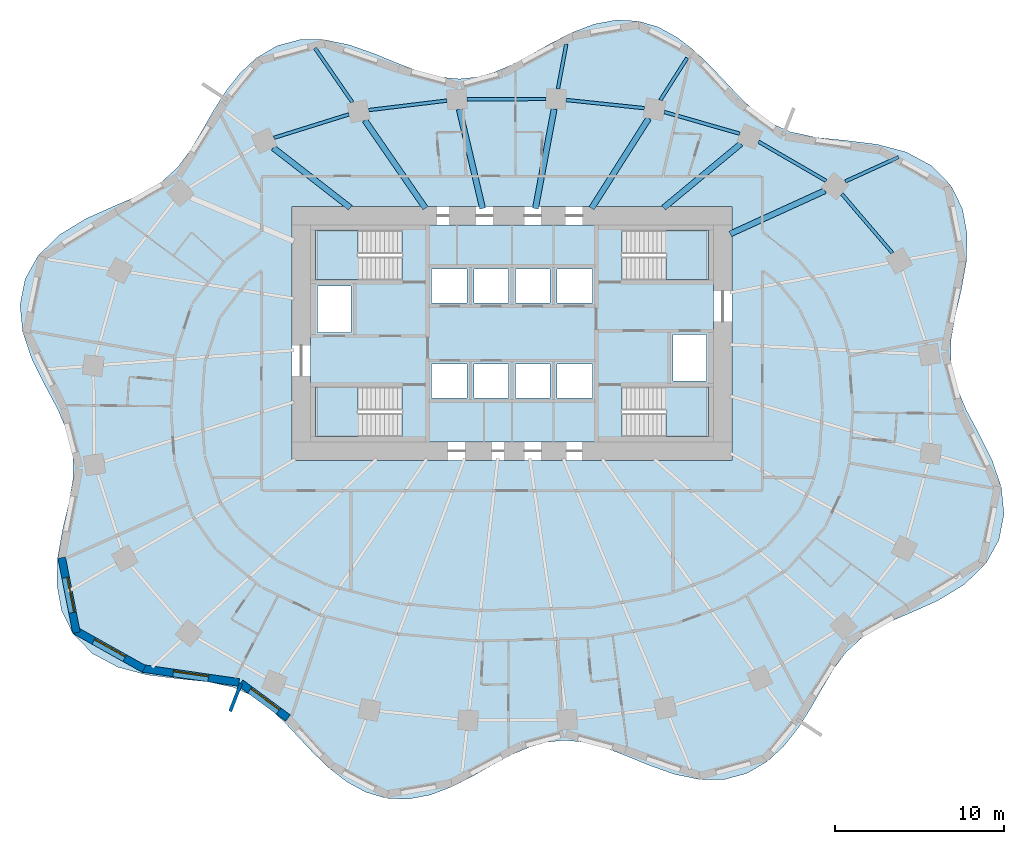
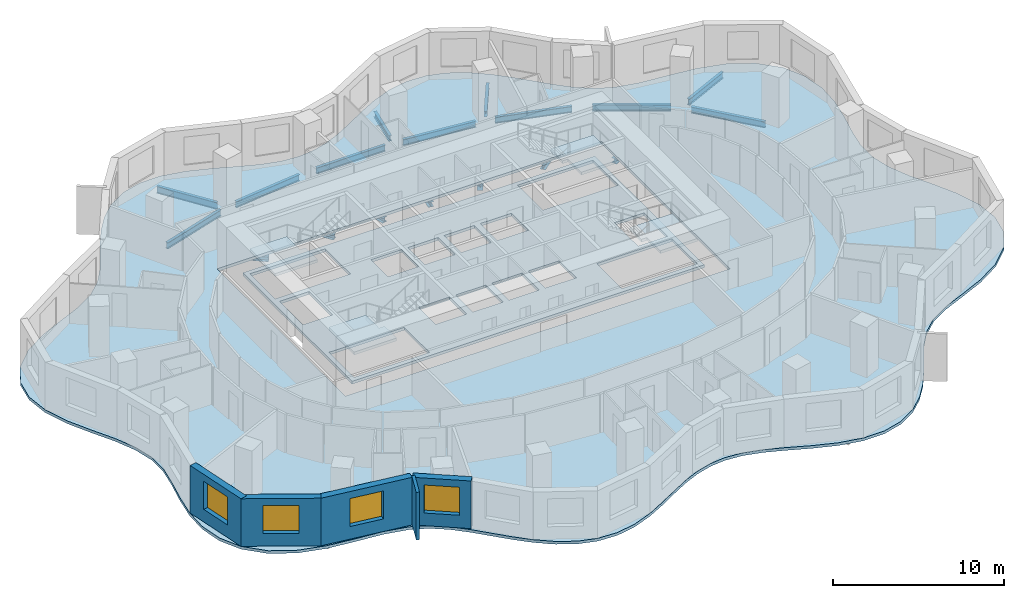
# One storey, part 2 of 10: 18 beams, 6 slabs, 5 walls, 4 windows, 4 openings, 4 elements without a shape of their own.
"""IFC4 building model written with IfcOpenShell, lengths in metres."""

import ifcopenshell
import ifcopenshell.guid

model = None  # the IFC model being written
_history = None  # IfcOwnerHistory: only IFC2X3 demands one
_inside = {}  # id of a spatial element -> (the spatial element, [elements in it])
_under = {}  # id of a project, library or spatial element -> (it, [spatial elements below it])
_declared = {}  # id of a project -> (the project, [libraries it declares])
_typed = {}  # id of a type object -> (the type object, [elements of that type])
_made_of = {}  # id of a material, layer set ... -> (it, [elements and type objects made of it])


def new_model(schema):
    """Start an empty IFC model of exactly this schema.

    Asked for "IFC4X3", IfcOpenShell would pick the latest addendum, in which some entities
    have other attributes; the version numbers below select the first issue.
    IFC2X3 requires an IfcOwnerHistory on every rooted entity: one is made here for all.
    """
    global model, _history
    if schema == "IFC4X3":
        model = ifcopenshell.file(schema_version=(4, 3, 0, 0))
    else:
        model = ifcopenshell.file(schema=schema)
    _inside.clear()
    _under.clear()
    _declared.clear()
    _typed.clear()
    _made_of.clear()
    _history = None
    if model.schema == "IFC2X3":
        org = make("IfcOrganization", Name="unknown")
        user = make(
            "IfcPersonAndOrganization",
            ThePerson=make("IfcPerson", FamilyName="unknown"),
            TheOrganization=org,
        )
        app = make(
            "IfcApplication",
            ApplicationDeveloper=org,
            Version="unknown",
            ApplicationFullName="unknown",
            ApplicationIdentifier="unknown",
        )
        _history = make(
            "IfcOwnerHistory",
            OwningUser=user,
            OwningApplication=app,
            ChangeAction="ADDED",
            CreationDate=0,
        )
    return model


def make(cls, **values):
    """One entity of the class cls with the attributes given. An attribute that is None is left unset."""
    return model.create_entity(
        cls, **{name: value for name, value in values.items() if value is not None}
    )


def rooted(cls, **values):
    """An entity with a GlobalId (a new one), such as an element, a storey or a relation."""
    return make(cls, GlobalId=ifcopenshell.guid.new(), OwnerHistory=_history, **values)


def si_unit(unit_type, name, prefix=None):
    """IfcSIUnit, for example si_unit("LENGTHUNIT", "METRE", prefix="MILLI")."""
    return make("IfcSIUnit", UnitType=unit_type, Prefix=prefix, Name=name)


def assignment(units):
    """IfcUnitAssignment: the units of a project."""
    return None if units is None else make("IfcUnitAssignment", Units=units)


def point(xyz):
    """IfcCartesianPoint."""
    return None if xyz is None else make("IfcCartesianPoint", Coordinates=xyz)


def direction(xyz):
    """IfcDirection."""
    return None if xyz is None else make("IfcDirection", DirectionRatios=xyz)


def frame(location, z_axis=None, x_axis=None):
    """IfcAxis2Placement3D, a coordinate frame: its origin and axes. An axis left out is left unset."""
    return make(
        "IfcAxis2Placement3D",
        Location=point(location),
        Axis=direction(z_axis),
        RefDirection=direction(x_axis),
    )


def frame_2d(location, x_axis=None):
    """IfcAxis2Placement2D, a coordinate frame in the plane: its origin and x axis."""
    return make(
        "IfcAxis2Placement2D", Location=point(location), RefDirection=direction(x_axis)
    )


def origin():
    """The frame at (0, 0, 0) with its axes left unset."""
    return frame((0.0, 0.0, 0.0))


def origin_2d():
    """The frame at (0, 0) in the plane with its x axis left unset."""
    return frame_2d((0.0, 0.0))


def place(relative_to, where):
    """IfcLocalPlacement: puts the frame where relative to a parent placement (None: the world)."""
    return make(
        "IfcLocalPlacement", PlacementRelTo=relative_to, RelativePlacement=where
    )


def context(
    kind, dimensions, precision=None, world=None, true_north=None, identifier=None
):
    """IfcGeometricRepresentationContext, for example the 3D "Model" context."""
    return make(
        "IfcGeometricRepresentationContext",
        ContextIdentifier=identifier,
        ContextType=kind,
        CoordinateSpaceDimension=dimensions,
        Precision=precision,
        WorldCoordinateSystem=world,
        TrueNorth=true_north,
    )


def subcontext(parent, identifier, kind, view, scale=None):
    """IfcGeometricRepresentationSubContext, for example "Body" below "Model"."""
    return make(
        "IfcGeometricRepresentationSubContext",
        ContextIdentifier=identifier,
        ContextType=kind,
        ParentContext=parent,
        TargetScale=scale,
        TargetView=view,
    )


def project(units=None, contexts=None):
    """IfcProject with its units and contexts."""
    return rooted(
        "IfcProject",
        Name="project",
        RepresentationContexts=contexts,
        UnitsInContext=assignment(units),
    )


def spatial(cls, under=None, at=None, **own):
    """A site, building, storey or space (cls), placed at a placement, below another one or the project."""
    s = rooted(cls, ObjectPlacement=at, **own)
    if under is not None:
        _under.setdefault(under.id(), (under, []))[1].append(s)
    return s


def polyline(points):
    """IfcPolyline through the points."""
    return make("IfcPolyline", Points=[point(p) for p in points])


def profile(cls, at=None, kind="AREA", **sizes):
    """A parametric profile (cls). Its sizes go by their IFC names, for example OverallWidth=200.0."""
    return make(cls, ProfileType=kind, Position=at, **sizes)


def rectangle(**sizes):
    """IfcRectangleProfileDef."""
    return profile("IfcRectangleProfileDef", **sizes)


def i_section(**sizes):
    """IfcIShapeProfileDef."""
    return profile("IfcIShapeProfileDef", **sizes)


def outline(outer, holes=None, kind="AREA"):
    """IfcArbitraryClosedProfileDef: a profile drawn as a closed curve; with holes, ...WithVoids."""
    if holes is None:
        return make("IfcArbitraryClosedProfileDef", ProfileType=kind, OuterCurve=outer)
    return make(
        "IfcArbitraryProfileDefWithVoids",
        ProfileType=kind,
        OuterCurve=outer,
        InnerCurves=holes,
    )


def extrude(swept, where, along, depth):
    """IfcExtrudedAreaSolid: the profile swept, set in the frame where, extruded along a direction by depth."""
    return make(
        "IfcExtrudedAreaSolid",
        SweptArea=swept,
        Position=where,
        ExtrudedDirection=direction(along),
        Depth=depth,
    )


def shape(context_of_items, identifier, shape_type, items):
    """IfcShapeRepresentation: the items that make up one representation, for example the "Body"."""
    return make(
        "IfcShapeRepresentation",
        ContextOfItems=context_of_items,
        RepresentationIdentifier=identifier,
        RepresentationType=shape_type,
        Items=items,
    )


def material(Name=None, Category=None):
    """IfcMaterial."""
    return make("IfcMaterial", Name=Name, Category=Category)


def layer(
    of_material, thickness, ventilated=None, Name=None, Category=None, Priority=None
):
    """IfcMaterialLayer: one layer of a wall or slab, of a material (None: an air gap)."""
    return make(
        "IfcMaterialLayer",
        Material=of_material,
        LayerThickness=thickness,
        IsVentilated=ventilated,
        Name=Name,
        Category=Category,
        Priority=Priority,
    )


def layer_set(layers, Name=None):
    """IfcMaterialLayerSet."""
    return make("IfcMaterialLayerSet", MaterialLayers=layers, LayerSetName=Name)


def material_profile(
    of_material, cross_section, Name=None, Category=None, Priority=None
):
    """IfcMaterialProfile: a cross section and its material."""
    return make(
        "IfcMaterialProfile",
        Name=Name,
        Material=of_material,
        Profile=cross_section,
        Priority=Priority,
        Category=Category,
    )


def profile_set(profiles, Name=None, composite=None):
    """IfcMaterialProfileSet."""
    return make(
        "IfcMaterialProfileSet",
        Name=Name,
        MaterialProfiles=profiles,
        CompositeProfile=composite,
    )


def made_of(thing, what):
    """Note that an element or type object is made of a material, layer set ...; save() writes the relation."""
    if what is not None:
        _made_of.setdefault(what.id(), (what, []))[1].append(thing)
    return thing


def type_object(cls, material=None, **own):
    """A type object (cls), such as IfcWallType, which elements share."""
    return made_of(rooted(cls, **own), material)


def element(
    cls,
    number,
    at=None,
    inside=None,
    cuts=None,
    type_object=None,
    material=None,
    context=None,
    identifier="Body",
    shape_type=None,
    held_by="IfcProductDefinitionShape",
    body=None,
    shapes=None,
    **own,
):
    """One element of the class cls, such as IfcWall. Its Tag is "e" and its number.

    at: its placement. inside: the storey or other place that contains it. cuts: it is an
    opening in that element (IfcRelVoidsElement). A single representation is given by context,
    identifier, shape_type and body (its items); several are given by shapes. held_by: the class
    of the entity that holds the representations. save() writes the other relations.
    """
    e = rooted(cls, Tag="e%d" % number, ObjectPlacement=at, **own)
    if body is not None:
        shapes = [shape(context, identifier, shape_type, body)]
    if shapes is not None:
        e.Representation = make(held_by, Representations=shapes)
    if inside is not None:
        _inside.setdefault(inside.id(), (inside, []))[1].append(e)
    if cuts is not None:
        rooted(
            "IfcRelVoidsElement", RelatingBuildingElement=cuts, RelatedOpeningElement=e
        )
    if type_object is not None:
        _typed.setdefault(type_object.id(), (type_object, []))[1].append(e)
    return made_of(e, material)


def fill(opening, filler):
    """IfcRelFillsElement: the door or window that sits in an opening."""
    return rooted(
        "IfcRelFillsElement",
        RelatingOpeningElement=opening,
        RelatedBuildingElement=filler,
    )


def aggregate(whole, parts):
    """IfcRelAggregates: a whole, such as a stair, and the parts it consists of."""
    return rooted("IfcRelAggregates", RelatingObject=whole, RelatedObjects=parts)


def save(model, path):
    """Write the relations noted so far, then the file.

    IfcRelAggregates (storeys below a building ...), IfcRelContainedInSpatialStructure (elements
    in a storey), IfcRelDefinesByType, IfcRelAssociatesMaterial and IfcRelDeclares: one each for
    every whole, place, type object, material and project.
    """
    for whole, parts in _under.values():
        aggregate(whole, parts)
    for where, things in _inside.values():
        rooted(
            "IfcRelContainedInSpatialStructure",
            RelatedElements=things,
            RelatingStructure=where,
        )
    for kind, things in _typed.values():
        rooted("IfcRelDefinesByType", RelatedObjects=things, RelatingType=kind)
    for what, things in _made_of.values():
        rooted("IfcRelAssociatesMaterial", RelatedObjects=things, RelatingMaterial=what)
    for by, libraries in _declared.values():
        rooted("IfcRelDeclares", RelatingContext=by, RelatedDefinitions=libraries)
    model.write(path)


model = new_model("IFC4")

# Units and contexts
model_context = context("Model", 3, precision=1e-05, world=origin(), true_north=direction((0.0, 1.0)))
body_context = subcontext(model_context, "Body", "Model", "MODEL_VIEW")
ifc_project = project(units=[si_unit("LENGTHUNIT", "METRE"), si_unit("AREAUNIT", "SQUARE_METRE"), si_unit("VOLUMEUNIT", "CUBIC_METRE"), si_unit("PLANEANGLEUNIT", "RADIAN"), si_unit("MASSUNIT", "GRAM", prefix="KILO")], contexts=[model_context])

# Site, building, storey
site_placement = place(None, origin())
site = spatial("IfcSite", under=ifc_project, at=site_placement, CompositionType="ELEMENT")
building_placement = place(site_placement, origin())
building = spatial("IfcBuilding", under=site, at=building_placement, Name="Rubra Terraces Tower", CompositionType="ELEMENT")
storey_placement = place(building_placement, frame((0.0, 0.0, 92.39990234375)))
storey = spatial("IfcBuildingStorey", under=building, at=storey_placement, Name="L21", CompositionType="ELEMENT", Elevation=92.39990234375)

# Beams
ifc_material_1 = material(Name="Steel Q355B", Category="steel")
ifc_material_profile_1 = material_profile(ifc_material_1, i_section(OverallWidth=0.199951171875, OverallDepth=0.39990234375, WebThickness=0.008056640625, FlangeThickness=0.012939453125, at=origin_2d()), Name="HN 400x200x8x13")
ifc_profile_set_1 = profile_set([ifc_material_profile_1], Name="Steel Q355B")
beam_type_1 = type_object("IfcBeamType", Name="CANTILEVER BEAM HN 400x200x8x13", PredefinedType="BEAM", material=ifc_profile_set_1)
beam_1_placement = place(storey_placement, frame((8.76806640625, 18.29296875, -0.39990234375), z_axis=(0.536506017285, 0.843896494493, 0.0), x_axis=(-0.843896494493, 0.536506017285, 0.0)))
element("IfcBeam", 1, at=beam_1_placement, inside=storey, type_object=beam_type_1, Name="beam-L21-cant-05", PredefinedType="BEAM", context=body_context, shape_type="SweptSolid", body=[
    extrude(i_section(OverallWidth=0.199951171875, OverallDepth=0.39990234375, WebThickness=0.008056640625, FlangeThickness=0.012939453125, at=origin_2d()), origin(), (0.0, 0.0, 1.0), 2.95068359375),
])
beam_2_placement = place(storey_placement, frame((2.714111328125, 18.952880859375, -0.39990234375), z_axis=(0.184553440076, 0.982822480286, 0.0), x_axis=(-0.982822480286, 0.184553440076, 0.0)))
element("IfcBeam", 2, at=beam_2_placement, inside=storey, type_object=beam_type_1, Name="beam-L21-cant-06", PredefinedType="BEAM", context=body_context, shape_type="SweptSolid", body=[
    extrude(i_section(OverallWidth=0.199951171875, OverallDepth=0.39990234375, WebThickness=0.008056640625, FlangeThickness=0.012939453125, at=origin_2d()), origin(), (0.0, 0.0, 1.0), 2.6708984375),
])
ifc_material_profile_2 = material_profile(ifc_material_1, i_section(OverallWidth=0.198974609375, OverallDepth=0.446044921875, WebThickness=0.008056640625, FlangeThickness=0.011962890625, at=origin_2d()), Name="HN 446x199x8x12")
ifc_profile_set_2 = profile_set([ifc_material_profile_2], Name="Steel Q355B")
beam_type_2 = type_object("IfcBeamType", Name="CANTILEVER BEAM HN 446x199x8x12", PredefinedType="BEAM", material=ifc_profile_set_2)
beam_3_placement = place(storey_placement, frame((19.697998046875, 13.485107421875, -0.4228515625), z_axis=(0.909753013399, 0.415149918236, 0.0), x_axis=(-0.415149918236, 0.909753013399, 0.0)))
element("IfcBeam", 3, at=beam_3_placement, inside=storey, type_object=beam_type_2, Name="beam-L21-cant-03", PredefinedType="BEAM", context=body_context, shape_type="SweptSolid", body=[
    extrude(i_section(OverallWidth=0.198974609375, OverallDepth=0.446044921875, WebThickness=0.008056640625, FlangeThickness=0.011962890625, at=origin_2d()), origin(), (0.0, 0.0, 1.0), 3.453857421875),
])
ifc_material_profile_3 = material_profile(ifc_material_1, i_section(OverallWidth=0.198974609375, OverallDepth=0.49609375, WebThickness=0.009033203125, FlangeThickness=0.013916015625, at=origin_2d()), Name="HN 496x199x9x14")
ifc_profile_set_3 = profile_set([ifc_material_profile_3], Name="Steel Q355B")
beam_type_3 = type_object("IfcBeamType", Name="CANTILEVER BEAM HN 496x199x9x14", PredefinedType="BEAM", material=ifc_profile_set_3)
beam_4_placement = place(storey_placement, frame((-9.431884765625, 18.158935546875, -0.447998046875), z_axis=(-0.568196775226, 0.822892717566, 0.0), x_axis=(-0.822892717566, -0.568196775226, 0.0)))
element("IfcBeam", 4, at=beam_4_placement, inside=storey, type_object=beam_type_3, Name="beam-L21-cant-08", PredefinedType="BEAM", context=body_context, shape_type="SweptSolid", body=[
    extrude(i_section(OverallWidth=0.198974609375, OverallDepth=0.49609375, WebThickness=0.009033203125, FlangeThickness=0.013916015625, at=origin_2d()), origin(), (0.0, 0.0, 1.0), 3.8984375),
])
ifc_material_profile_4 = material_profile(ifc_material_1, i_section(OverallWidth=0.35009765625, OverallDepth=0.35009765625, WebThickness=0.011962890625, FlangeThickness=0.01904296875, at=origin_2d()), Name="HW 350x350x12x19")
ifc_profile_set_4 = profile_set([ifc_material_profile_4], Name="Steel Q355B")
beam_type_4 = type_object("IfcBeamType", Name="FLOOR BEAM HW 350x350x12x19", PredefinedType="BEAM", material=ifc_profile_set_4)
beam_5_placement = place(storey_placement, frame((18.486083984375, 12.93310546875, -0.375), z_axis=(-0.909749612827, -0.415157370116, 0.0), x_axis=(0.415157370116, -0.909749612827, 0.0)))
element("IfcBeam", 5, at=beam_5_placement, inside=storey, type_object=beam_type_4, Name="beam-L21-floor-03", PredefinedType="BEAM", context=body_context, shape_type="SweptSolid", body=[
    extrude(i_section(OverallWidth=0.35009765625, OverallDepth=0.35009765625, WebThickness=0.011962890625, FlangeThickness=0.01904296875, at=origin_2d()), origin(), (0.0, 0.0, 1.0), 6.14990234375),
])
beam_6_placement = place(storey_placement, frame((13.52197265625, 15.705078125, -0.375), z_axis=(-0.769987448283, -0.638059032917, 0.0), x_axis=(0.638059032917, -0.769987448283, 0.0)))
element("IfcBeam", 6, at=beam_6_placement, inside=storey, type_object=beam_type_4, Name="beam-L21-floor-04", PredefinedType="BEAM", context=body_context, shape_type="SweptSolid", body=[
    extrude(i_section(OverallWidth=0.35009765625, OverallDepth=0.35009765625, WebThickness=0.011962890625, FlangeThickness=0.01904296875, at=origin_2d()), origin(), (0.0, 0.0, 1.0), 5.92724609375),
])
beam_7_placement = place(storey_placement, frame((8.075927734375, 17.205078125, -0.375), z_axis=(-0.536468405163, -0.843920405169, 0.0), x_axis=(0.843920405169, -0.536468405163, 0.0)))
element("IfcBeam", 7, at=beam_7_placement, inside=storey, type_object=beam_type_4, Name="beam-L21-floor-05", PredefinedType="BEAM", context=body_context, shape_type="SweptSolid", body=[
    extrude(i_section(OverallWidth=0.35009765625, OverallDepth=0.35009765625, WebThickness=0.011962890625, FlangeThickness=0.01904296875, at=origin_2d()), origin(), (0.0, 0.0, 1.0), 6.28759765625),
])
beam_8_placement = place(storey_placement, frame((2.489990234375, 17.762939453125, -0.375), z_axis=(-0.184505318504, -0.982831515288, 0.0), x_axis=(0.982831515288, -0.184505318504, 0.0)))
element("IfcBeam", 8, at=beam_8_placement, inside=storey, type_object=beam_type_4, Name="beam-L21-floor-06", PredefinedType="BEAM", context=body_context, shape_type="SweptSolid", body=[
    extrude(i_section(OverallWidth=0.35009765625, OverallDepth=0.35009765625, WebThickness=0.011962890625, FlangeThickness=0.01904296875, at=origin_2d()), origin(), (0.0, 0.0, 1.0), 5.983642578125),
])
beam_9_placement = place(storey_placement, frame((-3.114990234375, 17.738037109375, -0.375), z_axis=(0.229084580284, -0.973406520975, 0.0), x_axis=(0.973406520975, 0.229084580284, 0.0)))
element("IfcBeam", 9, at=beam_9_placement, inside=storey, type_object=beam_type_4, Name="beam-L21-floor-07", PredefinedType="BEAM", context=body_context, shape_type="SweptSolid", body=[
    extrude(i_section(OverallWidth=0.35009765625, OverallDepth=0.35009765625, WebThickness=0.011962890625, FlangeThickness=0.01904296875, at=origin_2d()), origin(), (0.0, 0.0, 1.0), 6.014892578125),
])
beam_10_placement = place(storey_placement, frame((-8.694091796875, 17.091064453125, -0.375), z_axis=(0.568116443955, -0.822948179479, 0.0), x_axis=(0.822948179479, 0.568116443955, 0.0)))
element("IfcBeam", 10, at=beam_10_placement, inside=storey, type_object=beam_type_4, Name="beam-L21-floor-08", PredefinedType="BEAM", context=body_context, shape_type="SweptSolid", body=[
    extrude(i_section(OverallWidth=0.35009765625, OverallDepth=0.35009765625, WebThickness=0.011962890625, FlangeThickness=0.01904296875, at=origin_2d()), origin(), (0.0, 0.0, 1.0), 6.306884765625),
])
beam_11_placement = place(storey_placement, frame((-14.10888671875, 15.466064453125, -0.375), z_axis=(0.789514006973, -0.613732541742, 0.0), x_axis=(0.613732541742, 0.789514006973, 0.0)))
element("IfcBeam", 11, at=beam_11_placement, inside=storey, type_object=beam_type_4, Name="beam-L21-floor-09", PredefinedType="BEAM", context=body_context, shape_type="SweptSolid", body=[
    extrude(i_section(OverallWidth=0.35009765625, OverallDepth=0.35009765625, WebThickness=0.011962890625, FlangeThickness=0.01904296875, at=origin_2d()), origin(), (0.0, 0.0, 1.0), 5.76806640625),
])
ifc_material_profile_5 = material_profile(ifc_material_1, i_section(OverallWidth=0.198974609375, OverallDepth=0.446044921875, WebThickness=0.008056640625, FlangeThickness=0.011962890625, at=origin_2d()), Name="HN 446x199x8x12")
ifc_profile_set_5 = profile_set([ifc_material_profile_5], Name="Steel Q355B")
beam_type_5 = type_object("IfcBeamType", Name="SPANDREL BEAM HN 446x199x8x12", PredefinedType="SPANDREL", material=ifc_profile_set_5)
beam_12_placement = place(storey_placement, frame((22.48095703125, 9.251953125, -0.4228515625), z_axis=(-0.650428637413, 0.759567368726, 0.0), x_axis=(-0.759567368726, -0.650428637413, 0.0)))
element("IfcBeam", 12, at=beam_12_placement, inside=storey, type_object=beam_type_5, Name="beam-L21-spandrel-02", PredefinedType="SPANDREL", context=body_context, shape_type="SweptSolid", body=[
    extrude(i_section(OverallWidth=0.198974609375, OverallDepth=0.446044921875, WebThickness=0.008056640625, FlangeThickness=0.011962890625, at=origin_2d()), origin(), (0.0, 0.0, 1.0), 4.6015625),
])
beam_13_placement = place(storey_placement, frame((18.56494140625, 13.513916015625, -0.4228515625), z_axis=(-0.865116425734, 0.501571101565, 0.0), x_axis=(-0.501571101565, -0.865116425734, 0.0)))
element("IfcBeam", 13, at=beam_13_placement, inside=storey, type_object=beam_type_5, Name="beam-L21-spandrel-03", PredefinedType="SPANDREL", context=body_context, shape_type="SweptSolid", body=[
    extrude(i_section(OverallWidth=0.198974609375, OverallDepth=0.446044921875, WebThickness=0.008056640625, FlangeThickness=0.011962890625, at=origin_2d()), origin(), (0.0, 0.0, 1.0), 4.62353515625),
])
beam_14_placement = place(storey_placement, frame((13.4609375, 16.302978515625, -0.4228515625), z_axis=(-0.961195652649, 0.275867572085, 0.0), x_axis=(-0.275867572085, -0.961195652649, 0.0)))
element("IfcBeam", 14, at=beam_14_placement, inside=storey, type_object=beam_type_5, Name="beam-L21-spandrel-04", PredefinedType="SPANDREL", context=body_context, shape_type="SweptSolid", body=[
    extrude(i_section(OverallWidth=0.198974609375, OverallDepth=0.446044921875, WebThickness=0.008056640625, FlangeThickness=0.011962890625, at=origin_2d()), origin(), (0.0, 0.0, 1.0), 4.639892578125),
])
beam_15_placement = place(storey_placement, frame((7.822998046875, 17.81201171875, -0.4228515625), z_axis=(-0.994588599148, 0.103891859374, 0.0), x_axis=(-0.103891859374, -0.994588599148, 0.0)))
element("IfcBeam", 15, at=beam_15_placement, inside=storey, type_object=beam_type_5, Name="beam-L21-spandrel-05", PredefinedType="SPANDREL", context=body_context, shape_type="SweptSolid", body=[
    extrude(i_section(OverallWidth=0.198974609375, OverallDepth=0.446044921875, WebThickness=0.008056640625, FlangeThickness=0.011962890625, at=origin_2d()), origin(), (0.0, 0.0, 1.0), 4.648193359375),
])
beam_16_placement = place(storey_placement, frame((2.0009765625, 18.35498046875, -0.4228515625), z_axis=(-0.99998885538, -0.004721135025, 0.0), x_axis=(0.004721135025, -0.99998885538, 0.0)))
element("IfcBeam", 16, at=beam_16_placement, inside=storey, type_object=beam_type_5, Name="beam-L21-spandrel-06", PredefinedType="SPANDREL", context=body_context, shape_type="SweptSolid", body=[
    extrude(i_section(OverallWidth=0.198974609375, OverallDepth=0.446044921875, WebThickness=0.008056640625, FlangeThickness=0.011962890625, at=origin_2d()), origin(), (0.0, 0.0, 1.0), 4.654052734375),
])
beam_17_placement = place(storey_placement, frame((-3.85107421875, 18.258056640625, -0.4228515625), z_axis=(-0.992713612833, -0.120497646851, 0.0), x_axis=(0.120497646851, -0.992713612833, 0.0)))
element("IfcBeam", 17, at=beam_17_placement, inside=storey, type_object=beam_type_5, Name="beam-L21-spandrel-07", PredefinedType="SPANDREL", context=body_context, shape_type="SweptSolid", body=[
    extrude(i_section(OverallWidth=0.198974609375, OverallDepth=0.446044921875, WebThickness=0.008056640625, FlangeThickness=0.011962890625, at=origin_2d()), origin(), (0.0, 0.0, 1.0), 4.64794921875),
])
beam_18_placement = place(storey_placement, frame((-9.637939453125, 17.445068359375, -0.4228515625), z_axis=(-0.954462184919, -0.298331925142, 0.0), x_axis=(0.298331925142, -0.954462184919, 0.0)))
element("IfcBeam", 18, at=beam_18_placement, inside=storey, type_object=beam_type_5, Name="beam-L21-spandrel-08", PredefinedType="SPANDREL", context=body_context, shape_type="SweptSolid", body=[
    extrude(i_section(OverallWidth=0.198974609375, OverallDepth=0.446044921875, WebThickness=0.008056640625, FlangeThickness=0.011962890625, at=origin_2d()), origin(), (0.0, 0.0, 1.0), 4.63916015625),
])

# Slab
ifc_material_2 = material(Name="Concrete C40", Category="concrete")
ifc_layer_1 = layer(ifc_material_2, 0.199951171875)
ifc_layer_set_1 = layer_set([ifc_layer_1], Name="Concrete C40")
slab_type_1 = type_object("IfcSlabType", Name="Core floor slab 200 concrete", PredefinedType="FLOOR", material=ifc_layer_set_1)
slab_1_placement = place(storey_placement, frame((0.0, 0.0, -0.199951171875)))
element("IfcSlab", 19, at=slab_1_placement, inside=storey, type_object=slab_type_1, Name="CORE FLOOR SLAB L21", PredefinedType="FLOOR", context=body_context, shape_type="SweptSolid", body=[
    extrude(outline(polyline([(-11.89990234375, -1.89990234375), (-11.89990234375, 10.89990234375), (11.89990234375, 10.89990234375), (11.89990234375, -1.89990234375), (-11.89990234375, -1.89990234375)]), holes=[polyline([(11.597900390625, 1.347900390625), (6.501953125, 1.347900390625), (6.501953125, -1.597900390625), (11.597900390625, -1.597900390625), (11.597900390625, 1.347900390625)]), polyline([(11.597900390625, 7.652099609375), (11.597900390625, 10.597900390625), (6.501953125, 10.597900390625), (6.501953125, 7.652099609375), (11.597900390625, 7.652099609375)]), polyline([(9.5, 1.699951171875), (11.5, 1.699951171875), (11.5, 4.449951171875), (9.5, 4.449951171875), (9.5, 1.699951171875)]), polyline([(4.75, 0.699951171875), (4.75, 2.699951171875), (2.64990234375, 2.699951171875), (2.64990234375, 0.699951171875), (4.75, 0.699951171875)]), polyline([(4.75, 6.300048828125), (4.75, 8.300048828125), (2.64990234375, 8.300048828125), (2.64990234375, 6.300048828125), (4.75, 6.300048828125)]), polyline([(2.25, 0.699951171875), (2.25, 2.699951171875), (0.199951171875, 2.699951171875), (0.199951171875, 0.699951171875), (2.25, 0.699951171875)]), polyline([(2.25, 6.300048828125), (2.25, 8.300048828125), (0.199951171875, 8.300048828125), (0.199951171875, 6.300048828125), (2.25, 6.300048828125)]), polyline([(-0.199951171875, 0.699951171875), (-0.199951171875, 2.699951171875), (-2.25, 2.699951171875), (-2.25, 0.699951171875), (-0.199951171875, 0.699951171875)]), polyline([(-0.199951171875, 6.300048828125), (-0.199951171875, 8.300048828125), (-2.25, 8.300048828125), (-2.25, 6.300048828125), (-0.199951171875, 6.300048828125)]), polyline([(-2.64990234375, 0.699951171875), (-2.64990234375, 2.699951171875), (-4.75, 2.699951171875), (-4.75, 0.699951171875), (-2.64990234375, 0.699951171875)]), polyline([(-2.64990234375, 8.300048828125), (-4.75, 8.300048828125), (-4.75, 6.300048828125), (-2.64990234375, 6.300048828125), (-2.64990234375, 8.300048828125)]), polyline([(-11.597900390625, -1.597900390625), (-6.501953125, -1.597900390625), (-6.501953125, 1.347900390625), (-11.597900390625, 1.347900390625), (-11.597900390625, -1.597900390625)]), polyline([(-11.597900390625, 10.597900390625), (-11.597900390625, 7.652099609375), (-6.501953125, 7.652099609375), (-6.501953125, 10.597900390625), (-11.597900390625, 10.597900390625)]), polyline([(-9.5, 4.550048828125), (-9.5, 7.300048828125), (-11.5, 7.300048828125), (-11.5, 4.550048828125), (-9.5, 4.550048828125)])]), origin(), (0.0, 0.0, 1.0), 0.199951171875),
])

# Stair, slab
stair_type = type_object("IfcStairType", Name="Core stair 1400", PredefinedType="HALF_TURN_STAIR", material=ifc_material_2)
stair_1_placement = place(storey_placement, origin())
stair_1 = element("IfcStair", 20, at=stair_1_placement, inside=storey, type_object=stair_type, Name="L21 Exit stair S1", PredefinedType="HALF_TURN_STAIR")
ifc_layer_2 = layer(ifc_material_2, 0.199951171875)
ifc_layer_set_2 = layer_set([ifc_layer_2], Name="Concrete C40")
slab_type_2 = type_object("IfcSlabType", Name="Core stair landing 200", PredefinedType="LANDING", material=ifc_layer_set_2)
slab_2_placement = place(storey_placement, frame((0.0, 0.0, 1.60009765625)))
slab_2 = element("IfcSlab", 21, at=slab_2_placement, type_object=slab_type_2, Name="S1 landing 1", PredefinedType="LANDING", context=body_context, shape_type="SweptSolid", body=[
    extrude(outline(polyline([(-8.719970703125, -0.199951171875), (-8.719970703125, -1.60009765625), (-9.10009765625, -1.60009765625), (-9.1201171875, -1.60009765625), (-11.60009765625, -1.60009765625), (-11.60009765625, 1.35009765625), (-9.1201171875, 1.35009765625), (-9.097900390625, 1.35009765625), (-9.097900390625, -0.050048828125), (-9.10009765625, -0.050048828125), (-9.10009765625, -0.199951171875), (-8.719970703125, -0.199951171875)])), origin(), (0.0, 0.0, 1.0), 0.199951171875),
])
aggregate(stair_1, [slab_2])

stair_2_placement = place(storey_placement, origin())
stair_2 = element("IfcStair", 22, at=stair_2_placement, inside=storey, type_object=stair_type, Name="L21 Exit stair S2", PredefinedType="HALF_TURN_STAIR")
slab_3_placement = place(storey_placement, frame((0.0, 0.0, 1.60009765625)))
slab_3 = element("IfcSlab", 23, at=slab_3_placement, type_object=slab_type_2, Name="S2 landing 1", PredefinedType="LANDING", context=body_context, shape_type="SweptSolid", body=[
    extrude(outline(polyline([(-8.719970703125, 9.050048828125), (-8.719970703125, 7.64990234375), (-9.1201171875, 7.64990234375), (-11.60009765625, 7.64990234375), (-11.60009765625, 10.60009765625), (-9.1201171875, 10.60009765625), (-9.10009765625, 10.60009765625), (-9.097900390625, 10.60009765625), (-9.097900390625, 9.199951171875), (-9.10009765625, 9.199951171875), (-9.10009765625, 9.050048828125), (-8.719970703125, 9.050048828125)])), origin(), (0.0, 0.0, 1.0), 0.199951171875),
])
aggregate(stair_2, [slab_3])

stair_3_placement = place(storey_placement, origin())
stair_3 = element("IfcStair", 24, at=stair_3_placement, inside=storey, type_object=stair_type, Name="L21 Exit stair S3", PredefinedType="HALF_TURN_STAIR")
slab_4_placement = place(storey_placement, frame((0.0, 0.0, 1.60009765625)))
slab_4 = element("IfcSlab", 25, at=slab_4_placement, type_object=slab_type_2, Name="S3 landing 1", PredefinedType="LANDING", context=body_context, shape_type="SweptSolid", body=[
    extrude(outline(polyline([(9.10009765625, 9.050048828125), (9.10009765625, 9.199951171875), (8.719970703125, 9.199951171875), (8.719970703125, 10.60009765625), (9.10009765625, 10.60009765625), (9.1201171875, 10.60009765625), (11.60009765625, 10.60009765625), (11.60009765625, 7.64990234375), (9.1201171875, 7.64990234375), (9.097900390625, 7.64990234375), (9.097900390625, 9.050048828125), (9.10009765625, 9.050048828125)])), origin(), (0.0, 0.0, 1.0), 0.199951171875),
])
aggregate(stair_3, [slab_4])

stair_4_placement = place(storey_placement, origin())
stair_4 = element("IfcStair", 26, at=stair_4_placement, inside=storey, type_object=stair_type, Name="L21 Exit stair S4", PredefinedType="HALF_TURN_STAIR")
slab_5_placement = place(storey_placement, frame((0.0, 0.0, 1.60009765625)))
slab_5 = element("IfcSlab", 27, at=slab_5_placement, type_object=slab_type_2, Name="S4 landing 1", PredefinedType="LANDING", context=body_context, shape_type="SweptSolid", body=[
    extrude(outline(polyline([(9.10009765625, -0.199951171875), (9.10009765625, -0.050048828125), (8.719970703125, -0.050048828125), (8.719970703125, 1.35009765625), (9.10009765625, 1.35009765625), (9.1201171875, 1.35009765625), (11.60009765625, 1.35009765625), (11.60009765625, -1.60009765625), (9.1201171875, -1.60009765625), (9.10009765625, -1.60009765625), (9.097900390625, -1.60009765625), (9.097900390625, -0.199951171875), (9.10009765625, -0.199951171875)])), origin(), (0.0, 0.0, 1.0), 0.199951171875),
])
aggregate(stair_4, [slab_5])

# Slab
ifc_layer_3 = layer(ifc_material_2, 0.199951171875)
ifc_layer_set_3 = layer_set([ifc_layer_3], Name="Concrete C40")
slab_type_3 = type_object("IfcSlabType", Name="FLOOR SLAB 200 COMPOSITE", PredefinedType="FLOOR", material=ifc_layer_set_3)
slab_6_placement = place(storey_placement, frame((0.0, 0.0, -0.199951171875)))
element("IfcSlab", 28, at=slab_6_placement, inside=storey, type_object=slab_type_3, Name="FLOOR SLAB L21", PredefinedType="FLOOR", context=body_context, shape_type="SweptSolid", body=[
    extrude(outline(polyline([(27.60498046875, -1.447998046875), (26.8330078125, 0.0), (26.241943359375, 1.402099609375), (25.93408203125, 2.7490234375), (25.93896484375, 4.10791015625), (26.18994140625, 5.527099609375), (26.551025390625, 7.068115234375), (26.843994140625, 8.721923828125), (26.89794921875, 10.322021484375), (26.618896484375, 11.860107421875), (25.9541015625, 13.22412109375), (24.791015625, 14.4169921875), (23.280029296875, 15.22412109375), (21.576904296875, 15.677001953125), (19.7109375, 15.906982421875), (17.967041015625, 16.08203125), (16.422119140625, 16.422119140625), (15.35791015625, 16.89892578125), (14.376953125, 17.594970703125), (13.430908203125, 18.487060546875), (12.596923828125, 19.3779296875), (11.72509765625, 20.303955078125), (10.798095703125, 21.19189453125), (9.7509765625, 22.001953125), (8.634033203125, 22.60888671875), (7.4599609375, 22.958984375), (6.156982421875, 23.02197265625), (4.837890625, 22.77490234375), (3.528076171875, 22.27490234375), (2.3291015625, 21.662109375), (1.156005859375, 20.9990234375), (0.0, 20.383056640625), (-1.0439453125, 19.93701171875), (-2.072021484375, 19.64794921875), (-3.094970703125, 19.5419921875), (-4.2451171875, 19.64501953125), (-5.419921875, 19.9560546875), (-6.633056640625, 20.4130859375), (-8.09912109375, 21.01806640625), (-9.613037109375, 21.552001953125), (-11.14208984375, 21.866943359375), (-12.552978515625, 21.85595703125), (-13.886962890625, 21.4951171875), (-15.10009765625, 20.782958984375), (-16.069091796875, 19.883056640625), (-16.9140625, 18.81005859375), (-17.65087890625, 17.65087890625), (-18.34912109375, 16.429931640625), (-19.02294921875, 15.304931640625), (-19.736083984375, 14.339111328125), (-20.780029296875, 13.382080078125), (-22.05810546875, 12.64990234375), (-23.56298828125, 12.006103515625), (-25.175048828125, 11.283935546875), (-26.72509765625, 10.337890625), (-28.0, 9.097900390625), (-28.77099609375, 7.715087890625), (-29.072021484375, 6.176025390625), (-28.912109375, 4.5791015625), (-28.365966796875, 2.970947265625), (-27.60498046875, 1.447998046875), (-26.8330078125, 0.0), (-26.241943359375, -1.402099609375), (-25.93408203125, -2.7490234375), (-25.93896484375, -4.10791015625), (-26.18994140625, -5.527099609375), (-26.551025390625, -7.068115234375), (-26.843994140625, -8.721923828125), (-26.89794921875, -10.322021484375), (-26.618896484375, -11.860107421875), (-25.9541015625, -13.22412109375), (-24.791015625, -14.4169921875), (-23.280029296875, -15.22412109375), (-21.576904296875, -15.677001953125), (-19.7109375, -15.906982421875), (-17.967041015625, -16.08203125), (-16.422119140625, -16.422119140625), (-15.35791015625, -16.89892578125), (-14.376953125, -17.594970703125), (-13.430908203125, -18.487060546875), (-12.596923828125, -19.3779296875), (-11.72509765625, -20.303955078125), (-10.798095703125, -21.19189453125), (-9.7509765625, -22.001953125), (-8.634033203125, -22.60888671875), (-7.4599609375, -22.958984375), (-6.156982421875, -23.02197265625), (-4.837890625, -22.77490234375), (-3.528076171875, -22.27490234375), (-2.3291015625, -21.662109375), (-1.156005859375, -20.9990234375), (0.0, -20.383056640625), (1.0439453125, -19.93701171875), (2.072021484375, -19.64794921875), (3.094970703125, -19.5419921875), (4.2451171875, -19.64501953125), (5.419921875, -19.9560546875), (6.633056640625, -20.4130859375), (8.09912109375, -21.01806640625), (9.613037109375, -21.552001953125), (11.14208984375, -21.866943359375), (12.552978515625, -21.85595703125), (13.886962890625, -21.4951171875), (15.10009765625, -20.782958984375), (16.069091796875, -19.883056640625), (16.9140625, -18.81005859375), (17.65087890625, -17.65087890625), (18.34912109375, -16.429931640625), (19.02294921875, -15.304931640625), (19.736083984375, -14.339111328125), (20.780029296875, -13.382080078125), (22.05810546875, -12.64990234375), (23.56298828125, -12.006103515625), (25.175048828125, -11.283935546875), (26.72509765625, -10.337890625), (28.0, -9.097900390625), (28.77099609375, -7.715087890625), (29.072021484375, -6.176025390625), (28.912109375, -4.5791015625), (28.365966796875, -2.970947265625), (27.60498046875, -1.447998046875)]), holes=[polyline([(13.0, 12.0), (13.0, -3.0), (-13.0, -3.0), (-13.0, 12.0), (13.0, 12.0)])]), origin(), (0.0, 0.0, 1.0), 0.199951171875),
])

# Wall, opening, window
ifc_material_3 = material(Name="Brick masonry red-brown", Category="masonry")
ifc_layer_4 = layer(ifc_material_3, 0.449951171875)
ifc_layer_set_4 = layer_set([ifc_layer_4], Name="Brick masonry red-brown")
wall_type_1 = type_object("IfcWallType", Name="Brick facade wall 450", PredefinedType="SOLIDWALL", material=ifc_layer_set_4)
wall_1_placement = place(storey_placement, frame((-26.609619140625, -8.747802734375, 0.0), z_axis=(0.0, 0.0, 1.0), x_axis=(0.193923166402, -0.981016720312, 0.0)))
wall_1 = element("IfcWall", 29, at=wall_1_placement, inside=storey, type_object=wall_type_1, Name="Facade wall L21 bay 23", PredefinedType="SOLIDWALL", context=body_context, shape_type="SweptSolid", body=[
    extrude(rectangle(XDim=4.518310546875, YDim=0.449951171875, at=frame_2d((2.25927734375, 0.0))), origin(), (0.0, 0.0, 1.0), 3.400146484375),
])
opening_1_placement = place(wall_1_placement, frame((1.209228515625, 0.0, 0.89990234375)))
opening_1 = element("IfcOpeningElement", 30, at=opening_1_placement, cuts=wall_1, Name="Opening W1", PredefinedType="OPENING", context=body_context, shape_type="SweptSolid", body=[
    extrude(rectangle(XDim=2.10009765625, YDim=2.0, at=frame_2d((1.050048828125, 1.0))), frame((0.0, 0.23486328125, 0.0), z_axis=(0.0, -1.0, 0.0), x_axis=(1.0, 0.0, 0.0)), (0.0, 0.0, 1.0), 0.469970703125),
])
ifc_material_4 = material(Name="Clear glass in aluminium frame", Category="aluminium")
window_type = type_object("IfcWindowType", Name="Fixed deep-set window 2100 x 2000", PartitioningType="SINGLE_PANEL", PredefinedType="WINDOW", material=ifc_material_4)
window_1_placement = place(opening_1_placement, origin())
window_1 = element("IfcWindow", 31, at=window_1_placement, inside=storey, type_object=window_type, Name="Window L21 bay 23", OverallHeight=2.0, OverallWidth=2.10009765625, PartitioningType="SINGLE_PANEL", PredefinedType="WINDOW", context=body_context, shape_type="SweptSolid", body=[
    extrude(rectangle(XDim=2.10009765625, YDim=2.0, at=frame_2d((1.050048828125, 1.0))), frame((0.0, 0.135009765625, 0.0), z_axis=(0.0, -1.0, 0.0), x_axis=(1.0, 0.0, 0.0)), (0.0, 0.0, 1.0), 0.06005859375),
])
fill(opening_1, window_1)

wall_2_placement = place(storey_placement, frame((-25.843994140625, -13.027587890625, 0.0), z_axis=(0.0, 0.0, 1.0), x_axis=(0.872346398261, -0.488888291373, 0.0)))
wall_2 = element("IfcWall", 32, at=wall_2_placement, inside=storey, type_object=wall_type_1, Name="Facade wall L21 bay 24", PredefinedType="SOLIDWALL", context=body_context, shape_type="SweptSolid", body=[
    extrude(rectangle(XDim=4.696044921875, YDim=0.449951171875, at=frame_2d((2.34814453125, 0.0))), origin(), (0.0, 0.0, 1.0), 3.400146484375),
])
opening_2_placement = place(wall_2_placement, frame((1.298095703125, 0.0, 0.89990234375)))
opening_2 = element("IfcOpeningElement", 33, at=opening_2_placement, cuts=wall_2, Name="Opening W1", PredefinedType="OPENING", context=body_context, shape_type="SweptSolid", body=[
    extrude(rectangle(XDim=2.10009765625, YDim=2.0, at=frame_2d((1.050048828125, 1.0))), frame((0.0, 0.23486328125, 0.0), z_axis=(0.0, -1.0, 0.0), x_axis=(1.0, 0.0, 0.0)), (0.0, 0.0, 1.0), 0.469970703125),
])
window_2_placement = place(opening_2_placement, origin())
window_2 = element("IfcWindow", 34, at=window_2_placement, inside=storey, type_object=window_type, Name="Window L21 bay 24", OverallHeight=2.0, OverallWidth=2.10009765625, PartitioningType="SINGLE_PANEL", PredefinedType="WINDOW", context=body_context, shape_type="SweptSolid", body=[
    extrude(rectangle(XDim=2.10009765625, YDim=2.0, at=frame_2d((1.050048828125, 1.0))), frame((0.0, 0.135009765625, 0.0), z_axis=(0.0, -1.0, 0.0), x_axis=(1.0, 0.0, 0.0)), (0.0, 0.0, 1.0), 0.06005859375),
])
fill(opening_2, window_2)

wall_3_placement = place(storey_placement, frame((-21.8251953125, -15.297119140625, 0.0), z_axis=(0.0, 0.0, 1.0), x_axis=(0.98971474215, -0.143054986527, 0.0)))
wall_3 = element("IfcWall", 35, at=wall_3_placement, inside=storey, type_object=wall_type_1, Name="Facade wall L21 bay 25", PredefinedType="SOLIDWALL", context=body_context, shape_type="SweptSolid", body=[
    extrude(rectangle(XDim=5.7529296875, YDim=0.449951171875, at=frame_2d((2.87646484375, 0.0))), origin(), (0.0, 0.0, 1.0), 3.400146484375),
])
opening_3_placement = place(wall_3_placement, frame((1.826416015625, 0.0, 0.89990234375)))
opening_3 = element("IfcOpeningElement", 36, at=opening_3_placement, cuts=wall_3, Name="Opening W1", PredefinedType="OPENING", context=body_context, shape_type="SweptSolid", body=[
    extrude(rectangle(XDim=2.10009765625, YDim=2.0, at=frame_2d((1.050048828125, 1.0))), frame((0.0, 0.23486328125, 0.0), z_axis=(0.0, -1.0, 0.0), x_axis=(1.0, 0.0, 0.0)), (0.0, 0.0, 1.0), 0.469970703125),
])
window_3_placement = place(opening_3_placement, origin())
window_3 = element("IfcWindow", 37, at=window_3_placement, inside=storey, type_object=window_type, Name="Window L21 bay 25", OverallHeight=2.0, OverallWidth=2.10009765625, PartitioningType="SINGLE_PANEL", PredefinedType="WINDOW", context=body_context, shape_type="SweptSolid", body=[
    extrude(rectangle(XDim=2.10009765625, YDim=2.0, at=frame_2d((1.050048828125, 1.0))), frame((0.0, 0.135009765625, 0.0), z_axis=(0.0, -1.0, 0.0), x_axis=(1.0, 0.0, 0.0)), (0.0, 0.0, 1.0), 0.06005859375),
])
fill(opening_3, window_3)

wall_4_placement = place(storey_placement, frame((-16.03564453125, -16.15771484375, 0.0), z_axis=(0.0, 0.0, 1.0), x_axis=(0.805181432967, -0.593028549064, 0.0)))
wall_4 = element("IfcWall", 38, at=wall_4_placement, inside=storey, type_object=wall_type_1, Name="Facade wall L21 bay 26", PredefinedType="SOLIDWALL", context=body_context, shape_type="SweptSolid", body=[
    extrude(rectangle(XDim=3.468505859375, YDim=0.449951171875, at=frame_2d((1.734375, 0.0))), origin(), (0.0, 0.0, 1.0), 3.400146484375),
])
opening_4_placement = place(wall_4_placement, frame((0.684326171875, 0.0, 0.89990234375)))
opening_4 = element("IfcOpeningElement", 39, at=opening_4_placement, cuts=wall_4, Name="Opening W1", PredefinedType="OPENING", context=body_context, shape_type="SweptSolid", body=[
    extrude(rectangle(XDim=2.10009765625, YDim=2.0, at=frame_2d((1.050048828125, 1.0))), frame((0.0, 0.23486328125, 0.0), z_axis=(0.0, -1.0, 0.0), x_axis=(1.0, 0.0, 0.0)), (0.0, 0.0, 1.0), 0.469970703125),
])
window_4_placement = place(opening_4_placement, origin())
window_4 = element("IfcWindow", 40, at=window_4_placement, inside=storey, type_object=window_type, Name="Window L21 bay 26", OverallHeight=2.0, OverallWidth=2.10009765625, PartitioningType="SINGLE_PANEL", PredefinedType="WINDOW", context=body_context, shape_type="SweptSolid", body=[
    extrude(rectangle(XDim=2.10009765625, YDim=2.0, at=frame_2d((1.050048828125, 1.0))), frame((0.0, 0.135009765625, 0.0), z_axis=(0.0, -1.0, 0.0), x_axis=(1.0, 0.0, 0.0)), (0.0, 0.0, 1.0), 0.06005859375),
])
fill(opening_4, window_4)

# Wall
ifc_layer_5 = layer(ifc_material_3, 0.199951171875)
ifc_layer_set_5 = layer_set([ifc_layer_5], Name="Brick masonry red-brown")
wall_type_2 = type_object("IfcWallType", Name="Brick wind fin 200", PredefinedType="SOLIDWALL", material=ifc_layer_set_5)
wall_5_placement = place(storey_placement, frame((-16.01904296875, -16.195068359375, 0.0), z_axis=(0.0, 0.0, 1.0), x_axis=(-0.362641522028, -0.931928713208, 0.0)))
element("IfcWall", 41, at=wall_5_placement, inside=storey, type_object=wall_type_2, Name="Wind fin L21 16", PredefinedType="SOLIDWALL", context=body_context, shape_type="SweptSolid", body=[
    extrude(rectangle(XDim=1.749755859375, YDim=0.199951171875, at=frame_2d((0.875, 0.0))), origin(), (0.0, 0.0, 1.0), 3.400146484375),
])

save(model, "model.ifc")
